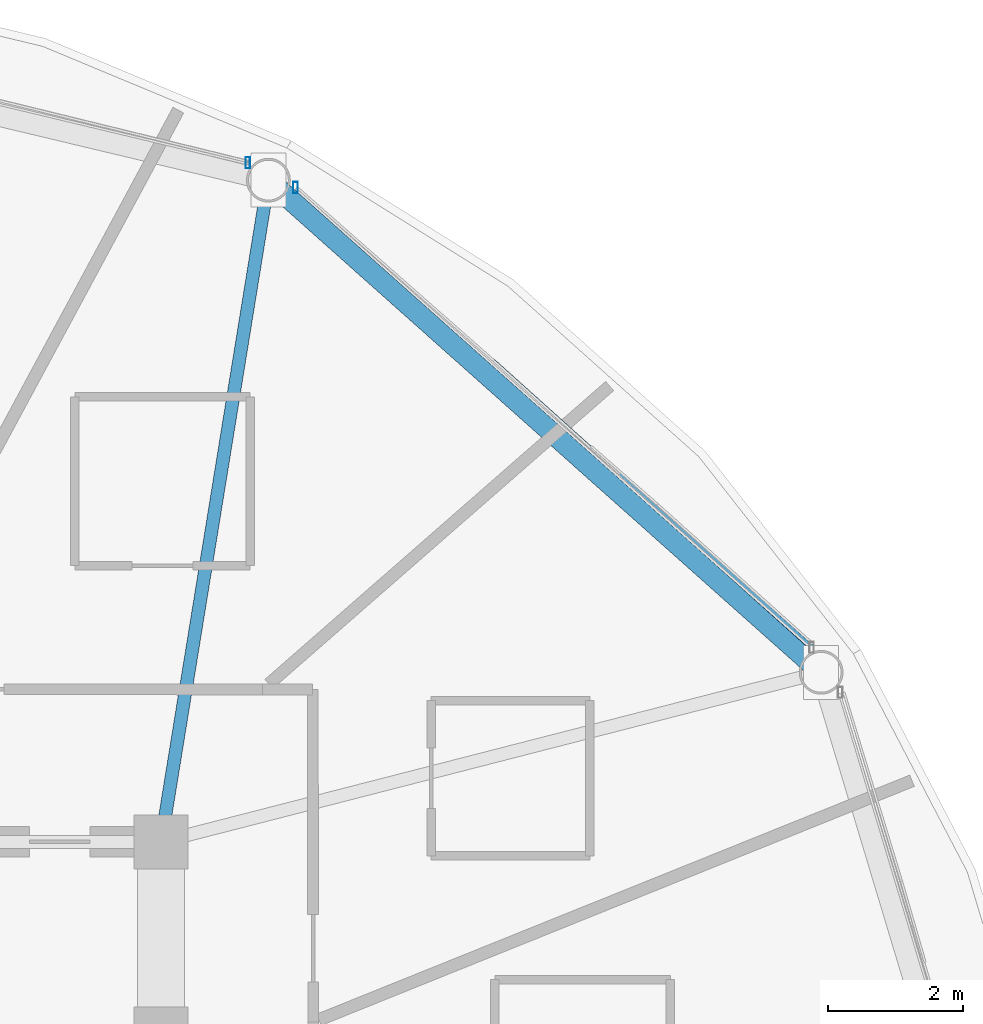
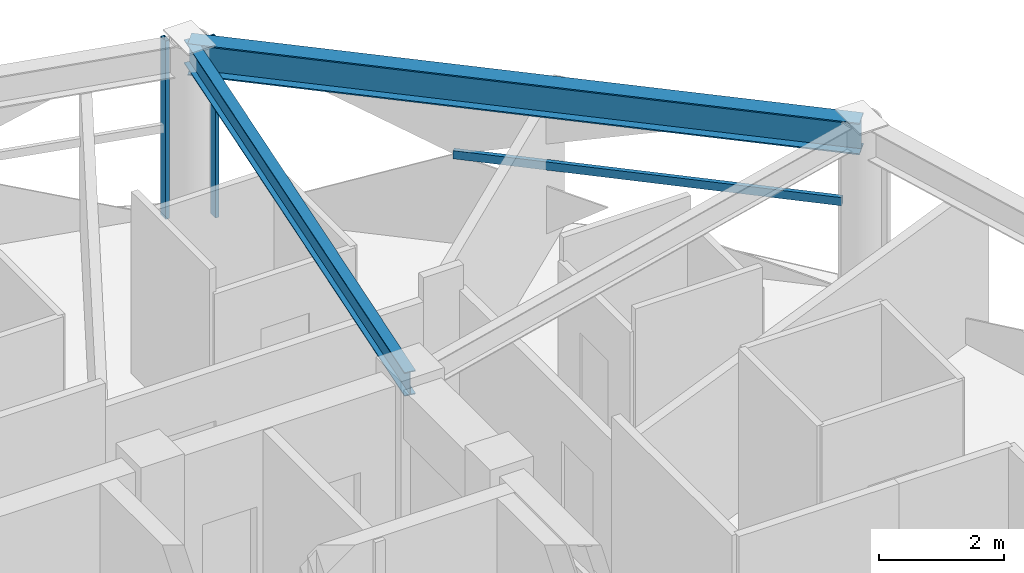
# One storey, part 20 of 30: 3 members, 2 beams, 2 elements without a shape of their own.
"""IFC4 building model written with IfcOpenShell, lengths in metres."""

from ifc_helpers import new_model, si_unit, direction, frame, origin, origin_2d, place, context, subcontext, project, spatial, hollow_rectangle, i_section, extrude, material, layer, layer_set, material_profile, profile_set, type_object, element, aggregate, save


model = new_model("IFC4")

# Units and contexts
model_context = context("Model", 3, precision=1e-05, world=origin(), true_north=direction((0.0, 1.0)))
body_context = subcontext(model_context, "Body", "Model", "MODEL_VIEW")
ifc_project = project(units=[si_unit("LENGTHUNIT", "METRE"), si_unit("AREAUNIT", "SQUARE_METRE"), si_unit("VOLUMEUNIT", "CUBIC_METRE"), si_unit("PLANEANGLEUNIT", "RADIAN"), si_unit("MASSUNIT", "GRAM", prefix="KILO")], contexts=[model_context])

# Site, building, storey
site_placement = place(None, origin())
site = spatial("IfcSite", under=ifc_project, at=site_placement, CompositionType="ELEMENT")
building_placement = place(site_placement, origin())
building = spatial("IfcBuilding", under=site, at=building_placement, Name="Vantalir Tower", CompositionType="ELEMENT")
storey_placement = place(building_placement, frame((0.0, 0.0, 201.14990234375)))
storey = spatial("IfcBuildingStorey", under=building, at=storey_placement, Name="L50", CompositionType="ELEMENT", Elevation=201.14990234375)

# Beams
ifc_material_1 = material(Name="Steel S355", Category="steel")
ifc_material_profile_1 = material_profile(ifc_material_1, i_section(OverallWidth=0.19189453125, OverallDepth=0.462890625, WebThickness=0.010498046875, FlangeThickness=0.017578125, at=origin_2d()), Name="Steel S355")
ifc_profile_set_1 = profile_set([ifc_material_profile_1], Name="Steel S355")
beam_type_1 = type_object("IfcBeamType", Name="BM-RB-457x191", PredefinedType="BEAM", material=ifc_profile_set_1)
beam_1_placement = place(storey_placement, frame((42.69091796875, 42.256103515625, 3.338134765625), z_axis=(-0.160133287639, -0.987095400754, 0.0), x_axis=(0.987095400754, -0.160133287639, 0.0)))
element("IfcBeam", 1, at=beam_1_placement, inside=storey, type_object=beam_type_1, Name="L50 Radial Floor Beam 03", PredefinedType="BEAM", context=body_context, shape_type="SweptSolid", body=[
    extrude(i_section(OverallWidth=0.19189453125, OverallDepth=0.462890625, WebThickness=0.010498046875, FlangeThickness=0.017578125, at=origin_2d()), origin(), (0.0, 0.0, 1.0), 9.934326171875),
])
ifc_material_2 = material(Name="Steel S460", Category="steel")
ifc_material_profile_2 = material_profile(ifc_material_2, i_section(OverallWidth=0.306884765625, OverallDepth=0.6201171875, WebThickness=0.01416015625, FlangeThickness=0.023681640625, at=origin_2d()), Name="Steel S460")
ifc_profile_set_2 = profile_set([ifc_material_profile_2], Name="Steel S460")
beam_type_2 = type_object("IfcBeamType", Name="BM-RG-610x305", PredefinedType="USERDEFINED", material=ifc_profile_set_2)
beam_2_placement = place(storey_placement, frame((50.883056640625, 34.9619140625, 3.260009765625), z_axis=(-0.74685277092, 0.664989427411, 0.0), x_axis=(-0.664989427411, -0.74685277092, 0.0)))
element("IfcBeam", 2, at=beam_2_placement, inside=storey, type_object=beam_type_2, Name="L50 Circumferential Ring Girder 02", ObjectType="GIRDER", PredefinedType="USERDEFINED", context=body_context, shape_type="SweptSolid", body=[
    extrude(i_section(OverallWidth=0.306884765625, OverallDepth=0.6201171875, WebThickness=0.01416015625, FlangeThickness=0.023681640625, at=origin_2d()), origin(), (0.0, 0.0, 1.0), 10.968994140625),
])

# Curtain wall, member
ifc_material_3 = material(Name="Champagne-silver PVDF aluminium and double-silver Low-E glass", Category="aluminium")
ifc_layer = layer(ifc_material_3, 0.2099609375)
ifc_layer_set = layer_set([ifc_layer], Name="Champagne-silver PVDF aluminium and double-silver Low-E glass")
curtain_wall_type = type_object("IfcCurtainWallType", Name="CW-DIAMOND-Z3", PredefinedType="USERDEFINED", material=ifc_layer_set)
curtain_wall_1_placement = place(storey_placement, origin())
curtain_wall_1 = element("IfcCurtainWall", 3, at=curtain_wall_1_placement, inside=storey, type_object=curtain_wall_type, Name="L50 Quilted Pyramid-Diamond Curtain Wall S02", ObjectType="UNITISED CURTAIN WALL", PredefinedType="USERDEFINED")
ifc_material_4 = material(Name="Champagne-silver PVDF aluminium 6063-T6", Category="aluminium")
ifc_material_profile_3 = material_profile(ifc_material_4, hollow_rectangle(XDim=0.070068359375, YDim=0.1650390625, WallThickness=0.00390625, at=origin_2d()), Name="Champagne-silver PVDF aluminium 6063-T6")
ifc_profile_set_3 = profile_set([ifc_material_profile_3], Name="Champagne-silver PVDF aluminium 6063-T6")
member_type_1 = type_object("IfcMemberType", Name="CWM-165x70", PredefinedType="MULLION", material=ifc_profile_set_3)
member_1_placement = place(storey_placement, frame((43.092041015625, 42.14697265625, 0.045166015625), z_axis=(0.0, 0.0, 1.0), x_axis=(1.0, 0.0, 0.0)))
member_1 = element("IfcMember", 4, at=member_1_placement, type_object=member_type_1, Name="CW-L50-S02 Mullion 2", PredefinedType="MULLION", context=body_context, shape_type="SweptSolid", body=[
    extrude(hollow_rectangle(XDim=0.070068359375, YDim=0.1650390625, WallThickness=0.00390625, at=origin_2d()), origin(), (0.0, 0.0, 1.0), 3.47998046875),
])

curtain_wall_2_placement = place(storey_placement, origin())
curtain_wall_2 = element("IfcCurtainWall", 5, at=curtain_wall_2_placement, inside=storey, type_object=curtain_wall_type, Name="L50 Quilted Pyramid-Diamond Curtain Wall S03", ObjectType="UNITISED CURTAIN WALL", PredefinedType="USERDEFINED")
member_2_placement = place(storey_placement, frame((42.386962890625, 42.514892578125, 0.045166015625), z_axis=(0.0, 0.0, 1.0), x_axis=(1.0, 0.0, 0.0)))
member_2 = element("IfcMember", 6, at=member_2_placement, type_object=member_type_1, Name="CW-L50-S03 Mullion 1", PredefinedType="MULLION", context=body_context, shape_type="SweptSolid", body=[
    extrude(hollow_rectangle(XDim=0.070068359375, YDim=0.1650390625, WallThickness=0.00390625, at=origin_2d()), origin(), (0.0, 0.0, 1.0), 3.47998046875),
])
aggregate(curtain_wall_2, [member_2])

# Member
ifc_material_profile_4 = material_profile(ifc_material_4, hollow_rectangle(XDim=0.074951171875, YDim=0.159912109375, WallThickness=0.00390625, at=origin_2d()), Name="Champagne-silver PVDF aluminium 6063-T6")
ifc_profile_set_4 = profile_set([ifc_material_profile_4], Name="Champagne-silver PVDF aluminium 6063-T6")
member_type_2 = type_object("IfcMemberType", Name="CWT-160x75", PredefinedType="USERDEFINED", material=ifc_profile_set_4)
member_3_placement = place(storey_placement, frame((50.741943359375, 35.3310546875, 1.78515625), z_axis=(-0.744102138307, 0.668065870829, 0.0), x_axis=(-0.668065870829, -0.744102138307, 0.0)))
member_3 = element("IfcMember", 7, at=member_3_placement, type_object=member_type_2, Name="CW-L50-S02 Pyramid Fold Ridge Transom", ObjectType="TRANSOM", PredefinedType="USERDEFINED", context=body_context, shape_type="SweptSolid", body=[
    extrude(hollow_rectangle(XDim=0.074951171875, YDim=0.159912109375, WallThickness=0.00390625, at=origin_2d()), origin(), (0.0, 0.0, 1.0), 6.35107421875),
])

aggregate(curtain_wall_1, [member_1, member_3])

save(model, "model.ifc")
